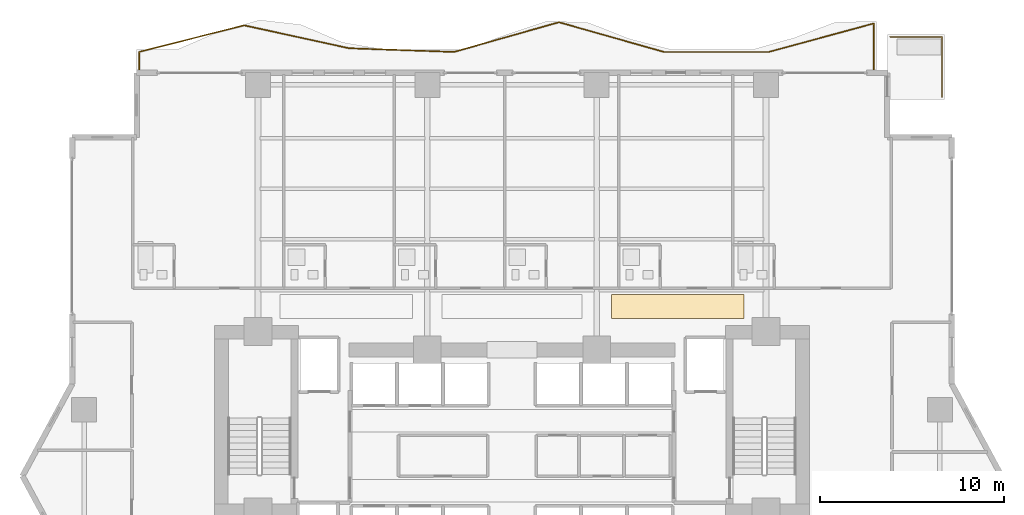
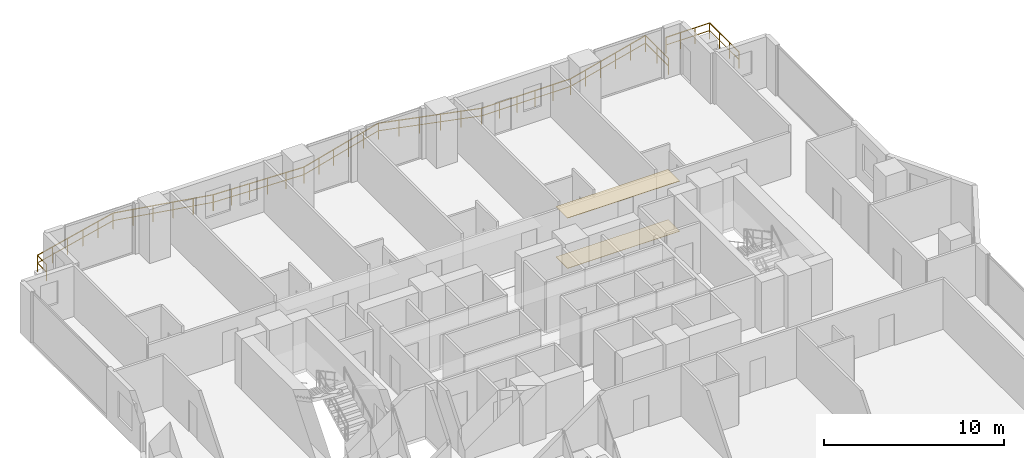
# One storey, part 27 of 28: 2 coverings, 2 railings.
"""IFC4 building model written with IfcOpenShell, lengths in metres."""

from ifc_helpers import new_model, si_unit, direction, frame, origin, origin_2d, place, context, subcontext, project, spatial, polyline, rectangle, outline, extrude, material, layer, layer_set, type_object, element, save


model = new_model("IFC4")

# Units and contexts
model_context = context("Model", 3, precision=1e-05, world=origin(), true_north=direction((0.0, 1.0)))
body_context = subcontext(model_context, "Body", "Model", "MODEL_VIEW")
ifc_project = project(units=[si_unit("LENGTHUNIT", "METRE"), si_unit("AREAUNIT", "SQUARE_METRE"), si_unit("VOLUMEUNIT", "CUBIC_METRE"), si_unit("PLANEANGLEUNIT", "RADIAN"), si_unit("MASSUNIT", "GRAM", prefix="KILO")], contexts=[model_context])

# Site, building, storey
site_placement = place(None, origin())
site = spatial("IfcSite", under=ifc_project, at=site_placement, CompositionType="ELEMENT")
building_placement = place(site_placement, origin())
building = spatial("IfcBuilding", under=site, at=building_placement, Name="Zuhayl Quay Hotel", CompositionType="ELEMENT")
storey_placement = place(building_placement, frame((0.0, 0.0, 99.300048828125)))
storey = spatial("IfcBuildingStorey", under=building, at=storey_placement, Name="L24", CompositionType="ELEMENT", Elevation=99.300048828125)

# Coverings
ifc_material_1 = material(Name="Acoustic Mineral-Fibre Gypsum Board")
ifc_layer_1 = layer(ifc_material_1, 0.02490234375, Name="Acoustic Mineral-Fibre Gypsum Board")
ifc_layer_set_1 = layer_set([ifc_layer_1], Name="Acoustic Mineral-Fibre Gypsum Board")
covering_type_1 = type_object("IfcCoveringType", Name="CV_CEIL_ACOUSTIC", PredefinedType="CEILING", material=ifc_layer_set_1)
covering_1_placement = place(storey_placement, frame((0.0, 0.0, 3.405029296875)))
element("IfcCovering", 1, at=covering_1_placement, inside=storey, type_object=covering_type_1, Name="L24 Guest Corridor Acoustic Ceiling CE", PredefinedType="CEILING", context=body_context, shape_type="SweptSolid", body=[
    extrude(outline(polyline([(5.39990234375, 15.050048828125), (12.60009765625, 15.050048828125), (12.60009765625, 16.35009765625), (5.39990234375, 16.35009765625), (5.39990234375, 15.050048828125)])), origin(), (0.0, 0.0, 1.0), 0.02490234375),
])
ifc_material_2 = material(Name="Polished Limestone Terrazzo", Category="masonry")
ifc_layer_2 = layer(ifc_material_2, 0.02001953125, Name="Polished Limestone Terrazzo", Category="masonry")
ifc_layer_set_2 = layer_set([ifc_layer_2], Name="Polished Limestone Terrazzo")
covering_type_2 = type_object("IfcCoveringType", Name="CV_FLOOR_TERRAZZO", PredefinedType="FLOORING", material=ifc_layer_set_2)
covering_2_placement = place(storey_placement, origin())
element("IfcCovering", 2, at=covering_2_placement, inside=storey, type_object=covering_type_2, Name="L24 Guest Corridor Terrazzo Runner CE", PredefinedType="FLOORING", context=body_context, shape_type="SweptSolid", body=[
    extrude(outline(polyline([(5.39990234375, 15.050048828125), (12.60009765625, 15.050048828125), (12.60009765625, 16.35009765625), (5.39990234375, 16.35009765625), (5.39990234375, 15.050048828125)])), origin(), (0.0, 0.0, 1.0), 0.02001953125),
])

# Railings
ifc_material_3 = material(Name="Anodised Aluminium and Laminated Glass", Category="aluminium")
railing_type = type_object("IfcRailingType", Name="RL_EXT_BAL_1100", PredefinedType="BALUSTRADE", material=ifc_material_3)
railing_1_placement = place(storey_placement, frame((-20.260009765625, 28.52001953125, 0.0)))
element("IfcRailing", 3, at=railing_1_placement, inside=storey, type_object=railing_type, Name="L24 Balcony and Terrace Guard GR_L24_BAL_N", PredefinedType="BALUSTRADE", context=body_context, shape_type="SweptSolid", body=[
    extrude(rectangle(XDim=0.048095703125, YDim=0.048095703125, at=origin_2d()), frame((0.0, 0.0, 1.09619140625), z_axis=(0.0, 1.0, 0.0), x_axis=(-1.0, 0.0, 0.0)), (0.0, 0.0, 1.0), 1.02001953125),
    extrude(rectangle(XDim=0.0361328125, YDim=0.0361328125, at=origin_2d()), frame((0.0, 0.0, 0.58251953125), z_axis=(0.0, 1.0, 0.0), x_axis=(-1.0, 0.0, 0.0)), (0.0, 0.0, 1.0), 1.02001953125),
    extrude(rectangle(XDim=0.048095703125, YDim=0.048095703125, at=origin_2d()), frame((0.0, 1.02001953125, 1.09619140625), z_axis=(0.969304426563, 0.245863638314, 0.0), x_axis=(-0.245863638314, 0.969304426563, 0.0)), (0.0, 0.0, 1.0), 5.883544921875),
    extrude(rectangle(XDim=0.0361328125, YDim=0.0361328125, at=origin_2d()), frame((0.0, 1.02001953125, 0.58251953125), z_axis=(0.969304426563, 0.245863638314, 0.0), x_axis=(-0.245863638314, 0.969304426563, 0.0)), (0.0, 0.0, 1.0), 5.883544921875),
    extrude(rectangle(XDim=0.048095703125, YDim=0.048095703125, at=origin_2d()), frame((5.702880859375, 2.466552734375, 1.09619140625), z_axis=(0.976959187878, -0.213426205563, 0.0), x_axis=(0.213426205563, 0.976959187878, 0.0)), (0.0, 0.0, 1.0), 5.83740234375),
    extrude(rectangle(XDim=0.0361328125, YDim=0.0361328125, at=origin_2d()), frame((5.702880859375, 2.466552734375, 0.58251953125), z_axis=(0.976959187878, -0.213426205563, 0.0), x_axis=(0.213426205563, 0.976959187878, 0.0)), (0.0, 0.0, 1.0), 5.83740234375),
    extrude(rectangle(XDim=0.048095703125, YDim=0.048095703125, at=origin_2d()), frame((11.40576171875, 1.220703125, 1.09619140625), z_axis=(0.999381411238, -0.035168094526, 0.0), x_axis=(0.035168094526, 0.999381411238, 0.0)), (0.0, 0.0, 1.0), 5.706298828125),
    extrude(rectangle(XDim=0.0361328125, YDim=0.0361328125, at=origin_2d()), frame((11.40576171875, 1.220703125, 0.58251953125), z_axis=(0.999381411238, -0.035168094526, 0.0), x_axis=(0.035168094526, 0.999381411238, 0.0)), (0.0, 0.0, 1.0), 5.706298828125),
    extrude(rectangle(XDim=0.048095703125, YDim=0.048095703125, at=origin_2d()), frame((17.108642578125, 1.02001953125, 1.09619140625), z_axis=(0.962206453128, 0.272321026655, 0.0), x_axis=(-0.272321026655, 0.962206453128, 0.0)), (0.0, 0.0, 1.0), 5.9267578125),
    extrude(rectangle(XDim=0.0361328125, YDim=0.0361328125, at=origin_2d()), frame((17.108642578125, 1.02001953125, 0.58251953125), z_axis=(0.962206453128, 0.272321026655, 0.0), x_axis=(-0.272321026655, 0.962206453128, 0.0)), (0.0, 0.0, 1.0), 5.9267578125),
    extrude(rectangle(XDim=0.048095703125, YDim=0.048095703125, at=origin_2d()), frame((22.8115234375, 2.634033203125, 1.09619140625), z_axis=(0.962206453128, -0.272321026655, 0.0), x_axis=(0.272321026655, 0.962206453128, 0.0)), (0.0, 0.0, 1.0), 5.9267578125),
    extrude(rectangle(XDim=0.0361328125, YDim=0.0361328125, at=origin_2d()), frame((22.8115234375, 2.634033203125, 0.58251953125), z_axis=(0.962206453128, -0.272321026655, 0.0), x_axis=(0.272321026655, 0.962206453128, 0.0)), (0.0, 0.0, 1.0), 5.9267578125),
    extrude(rectangle(XDim=0.048095703125, YDim=0.048095703125, at=origin_2d()), frame((28.514404296875, 1.02001953125, 1.09619140625), z_axis=(1.0, 0.0, 0.0), x_axis=(0.0, 1.0, 0.0)), (0.0, 0.0, 1.0), 5.70263671875),
    extrude(rectangle(XDim=0.0361328125, YDim=0.0361328125, at=origin_2d()), frame((28.514404296875, 1.02001953125, 0.58251953125), z_axis=(1.0, 0.0, 0.0), x_axis=(0.0, 1.0, 0.0)), (0.0, 0.0, 1.0), 5.70263671875),
    extrude(rectangle(XDim=0.048095703125, YDim=0.048095703125, at=origin_2d()), frame((34.217041015625, 1.02001953125, 1.09619140625), z_axis=(0.965021718962, 0.262169948565, 0.0), x_axis=(-0.262169948565, 0.965021718962, 0.0)), (0.0, 0.0, 1.0), 5.90966796875),
    extrude(rectangle(XDim=0.0361328125, YDim=0.0361328125, at=origin_2d()), frame((34.217041015625, 1.02001953125, 0.58251953125), z_axis=(0.965021718962, 0.262169948565, 0.0), x_axis=(-0.262169948565, 0.965021718962, 0.0)), (0.0, 0.0, 1.0), 5.90966796875),
    extrude(rectangle(XDim=0.048095703125, YDim=0.048095703125, at=origin_2d()), frame((39.919921875, 2.5693359375, 1.09619140625), z_axis=(0.0, -1.0, 0.0), x_axis=(1.0, 0.0, 0.0)), (0.0, 0.0, 1.0), 2.5693359375),
    extrude(rectangle(XDim=0.0361328125, YDim=0.0361328125, at=origin_2d()), frame((39.919921875, 2.5693359375, 0.58251953125), z_axis=(0.0, -1.0, 0.0), x_axis=(1.0, 0.0, 0.0)), (0.0, 0.0, 1.0), 2.5693359375),
    extrude(rectangle(XDim=0.0419921875, YDim=0.0419921875, at=origin_2d()), origin(), (0.0, 0.0, 1.0), 1.072021484375),
    extrude(rectangle(XDim=0.0419921875, YDim=0.0419921875, at=origin_2d()), frame((0.0, 1.02001953125, 0.0)), (0.0, 0.0, 1.0), 1.072021484375),
    extrude(rectangle(XDim=0.0419921875, YDim=0.0419921875, at=origin_2d()), frame((1.140625, 1.309326171875, 0.0)), (0.0, 0.0, 1.0), 1.072021484375),
    extrude(rectangle(XDim=0.0419921875, YDim=0.0419921875, at=origin_2d()), frame((2.28125, 1.5986328125, 0.0)), (0.0, 0.0, 1.0), 1.072021484375),
    extrude(rectangle(XDim=0.0419921875, YDim=0.0419921875, at=origin_2d()), frame((3.421630859375, 1.887939453125, 0.0)), (0.0, 0.0, 1.0), 1.072021484375),
    extrude(rectangle(XDim=0.0419921875, YDim=0.0419921875, at=origin_2d()), frame((4.562255859375, 2.17724609375, 0.0)), (0.0, 0.0, 1.0), 1.072021484375),
    extrude(rectangle(XDim=0.0419921875, YDim=0.0419921875, at=origin_2d()), frame((5.702880859375, 2.466552734375, 0.0)), (0.0, 0.0, 1.0), 1.072021484375),
    extrude(rectangle(XDim=0.0419921875, YDim=0.0419921875, at=origin_2d()), frame((6.843505859375, 2.21728515625, 0.0)), (0.0, 0.0, 1.0), 1.072021484375),
    extrude(rectangle(XDim=0.0419921875, YDim=0.0419921875, at=origin_2d()), frame((7.984130859375, 1.96826171875, 0.0)), (0.0, 0.0, 1.0), 1.072021484375),
    extrude(rectangle(XDim=0.0419921875, YDim=0.0419921875, at=origin_2d()), frame((9.12451171875, 1.718994140625, 0.0)), (0.0, 0.0, 1.0), 1.072021484375),
    extrude(rectangle(XDim=0.0419921875, YDim=0.0419921875, at=origin_2d()), frame((10.26513671875, 1.469970703125, 0.0)), (0.0, 0.0, 1.0), 1.072021484375),
    extrude(rectangle(XDim=0.0419921875, YDim=0.0419921875, at=origin_2d()), frame((11.40576171875, 1.220703125, 0.0)), (0.0, 0.0, 1.0), 1.072021484375),
    extrude(rectangle(XDim=0.0419921875, YDim=0.0419921875, at=origin_2d()), frame((12.54638671875, 1.1806640625, 0.0)), (0.0, 0.0, 1.0), 1.072021484375),
    extrude(rectangle(XDim=0.0419921875, YDim=0.0419921875, at=origin_2d()), frame((13.68701171875, 1.140380859375, 0.0)), (0.0, 0.0, 1.0), 1.072021484375),
    extrude(rectangle(XDim=0.0419921875, YDim=0.0419921875, at=origin_2d()), frame((14.827392578125, 1.100341796875, 0.0)), (0.0, 0.0, 1.0), 1.072021484375),
    extrude(rectangle(XDim=0.0419921875, YDim=0.0419921875, at=origin_2d()), frame((15.968017578125, 1.06005859375, 0.0)), (0.0, 0.0, 1.0), 1.072021484375),
    extrude(rectangle(XDim=0.0419921875, YDim=0.0419921875, at=origin_2d()), frame((17.108642578125, 1.02001953125, 0.0)), (0.0, 0.0, 1.0), 1.072021484375),
    extrude(rectangle(XDim=0.0419921875, YDim=0.0419921875, at=origin_2d()), frame((18.249267578125, 1.3427734375, 0.0)), (0.0, 0.0, 1.0), 1.072021484375),
    extrude(rectangle(XDim=0.0419921875, YDim=0.0419921875, at=origin_2d()), frame((19.389892578125, 1.66552734375, 0.0)), (0.0, 0.0, 1.0), 1.072021484375),
    extrude(rectangle(XDim=0.0419921875, YDim=0.0419921875, at=origin_2d()), frame((20.5302734375, 1.988525390625, 0.0)), (0.0, 0.0, 1.0), 1.072021484375),
    extrude(rectangle(XDim=0.0419921875, YDim=0.0419921875, at=origin_2d()), frame((21.6708984375, 2.311279296875, 0.0)), (0.0, 0.0, 1.0), 1.072021484375),
    extrude(rectangle(XDim=0.0419921875, YDim=0.0419921875, at=origin_2d()), frame((22.8115234375, 2.634033203125, 0.0)), (0.0, 0.0, 1.0), 1.072021484375),
    extrude(rectangle(XDim=0.0419921875, YDim=0.0419921875, at=origin_2d()), frame((23.9521484375, 2.311279296875, 0.0)), (0.0, 0.0, 1.0), 1.072021484375),
    extrude(rectangle(XDim=0.0419921875, YDim=0.0419921875, at=origin_2d()), frame((25.0927734375, 1.988525390625, 0.0)), (0.0, 0.0, 1.0), 1.072021484375),
    extrude(rectangle(XDim=0.0419921875, YDim=0.0419921875, at=origin_2d()), frame((26.233154296875, 1.66552734375, 0.0)), (0.0, 0.0, 1.0), 1.072021484375),
    extrude(rectangle(XDim=0.0419921875, YDim=0.0419921875, at=origin_2d()), frame((27.373779296875, 1.3427734375, 0.0)), (0.0, 0.0, 1.0), 1.072021484375),
    extrude(rectangle(XDim=0.0419921875, YDim=0.0419921875, at=origin_2d()), frame((28.514404296875, 1.02001953125, 0.0)), (0.0, 0.0, 1.0), 1.072021484375),
    extrude(rectangle(XDim=0.0419921875, YDim=0.0419921875, at=origin_2d()), frame((29.655029296875, 1.02001953125, 0.0)), (0.0, 0.0, 1.0), 1.072021484375),
    extrude(rectangle(XDim=0.0419921875, YDim=0.0419921875, at=origin_2d()), frame((30.79541015625, 1.02001953125, 0.0)), (0.0, 0.0, 1.0), 1.072021484375),
    extrude(rectangle(XDim=0.0419921875, YDim=0.0419921875, at=origin_2d()), frame((31.93603515625, 1.02001953125, 0.0)), (0.0, 0.0, 1.0), 1.072021484375),
    extrude(rectangle(XDim=0.0419921875, YDim=0.0419921875, at=origin_2d()), frame((33.076416015625, 1.02001953125, 0.0)), (0.0, 0.0, 1.0), 1.072021484375),
    extrude(rectangle(XDim=0.0419921875, YDim=0.0419921875, at=origin_2d()), frame((34.217041015625, 1.02001953125, 0.0)), (0.0, 0.0, 1.0), 1.072021484375),
    extrude(rectangle(XDim=0.0419921875, YDim=0.0419921875, at=origin_2d()), frame((35.357666015625, 1.329833984375, 0.0)), (0.0, 0.0, 1.0), 1.072021484375),
    extrude(rectangle(XDim=0.0419921875, YDim=0.0419921875, at=origin_2d()), frame((36.498291015625, 1.6396484375, 0.0)), (0.0, 0.0, 1.0), 1.072021484375),
    extrude(rectangle(XDim=0.0419921875, YDim=0.0419921875, at=origin_2d()), frame((37.638671875, 1.94970703125, 0.0)), (0.0, 0.0, 1.0), 1.072021484375),
    extrude(rectangle(XDim=0.0419921875, YDim=0.0419921875, at=origin_2d()), frame((38.779296875, 2.259521484375, 0.0)), (0.0, 0.0, 1.0), 1.072021484375),
    extrude(rectangle(XDim=0.0419921875, YDim=0.0419921875, at=origin_2d()), frame((39.919921875, 2.5693359375, 0.0)), (0.0, 0.0, 1.0), 1.072021484375),
    extrude(rectangle(XDim=0.0419921875, YDim=0.0419921875, at=origin_2d()), frame((39.919921875, 1.28466796875, 0.0)), (0.0, 0.0, 1.0), 1.072021484375),
    extrude(rectangle(XDim=0.0419921875, YDim=0.0419921875, at=origin_2d()), frame((39.919921875, 0.0, 0.0)), (0.0, 0.0, 1.0), 1.072021484375),
])
railing_2_placement = place(storey_placement, frame((23.360107421875, 27.090087890625, 0.0)))
element("IfcRailing", 4, at=railing_2_placement, inside=storey, type_object=railing_type, Name="L24 Balcony and Terrace Guard GR_L24_SPIRAL_NE", PredefinedType="BALUSTRADE", context=body_context, shape_type="SweptSolid", body=[
    extrude(rectangle(XDim=0.048095703125, YDim=0.048095703125, at=origin_2d()), frame((0.0, 0.0, 1.09619140625), z_axis=(0.0, 1.0, 0.0), x_axis=(-1.0, 0.0, 0.0)), (0.0, 0.0, 1.0), 3.27001953125),
    extrude(rectangle(XDim=0.0361328125, YDim=0.0361328125, at=origin_2d()), frame((0.0, 0.0, 0.58251953125), z_axis=(0.0, 1.0, 0.0), x_axis=(-1.0, 0.0, 0.0)), (0.0, 0.0, 1.0), 3.27001953125),
    extrude(rectangle(XDim=0.048095703125, YDim=0.048095703125, at=origin_2d()), frame((0.0, 3.27001953125, 1.09619140625), z_axis=(-1.0, 0.0, 0.0), x_axis=(0.0, -1.0, 0.0)), (0.0, 0.0, 1.0), 2.820068359375),
    extrude(rectangle(XDim=0.0361328125, YDim=0.0361328125, at=origin_2d()), frame((0.0, 3.27001953125, 0.58251953125), z_axis=(-1.0, 0.0, 0.0), x_axis=(0.0, -1.0, 0.0)), (0.0, 0.0, 1.0), 2.820068359375),
    extrude(rectangle(XDim=0.0419921875, YDim=0.0419921875, at=origin_2d()), origin(), (0.0, 0.0, 1.0), 1.072021484375),
    extrude(rectangle(XDim=0.0419921875, YDim=0.0419921875, at=origin_2d()), frame((0.0, 1.090087890625, 0.0)), (0.0, 0.0, 1.0), 1.072021484375),
    extrude(rectangle(XDim=0.0419921875, YDim=0.0419921875, at=origin_2d()), frame((0.0, 2.179931640625, 0.0)), (0.0, 0.0, 1.0), 1.072021484375),
    extrude(rectangle(XDim=0.0419921875, YDim=0.0419921875, at=origin_2d()), frame((0.0, 3.27001953125, 0.0)), (0.0, 0.0, 1.0), 1.072021484375),
    extrude(rectangle(XDim=0.0419921875, YDim=0.0419921875, at=origin_2d()), frame((-0.93994140625, 3.27001953125, 0.0)), (0.0, 0.0, 1.0), 1.072021484375),
    extrude(rectangle(XDim=0.0419921875, YDim=0.0419921875, at=origin_2d()), frame((-1.880126953125, 3.27001953125, 0.0)), (0.0, 0.0, 1.0), 1.072021484375),
    extrude(rectangle(XDim=0.0419921875, YDim=0.0419921875, at=origin_2d()), frame((-2.820068359375, 3.27001953125, 0.0)), (0.0, 0.0, 1.0), 1.072021484375),
])

save(model, "model.ifc")
